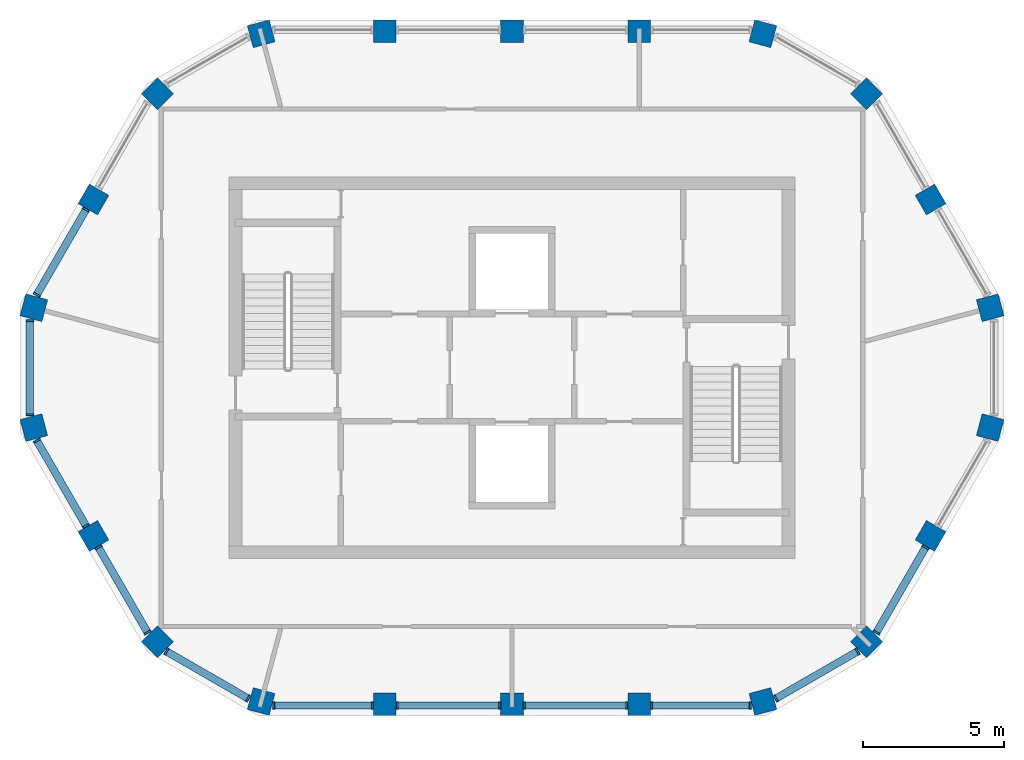
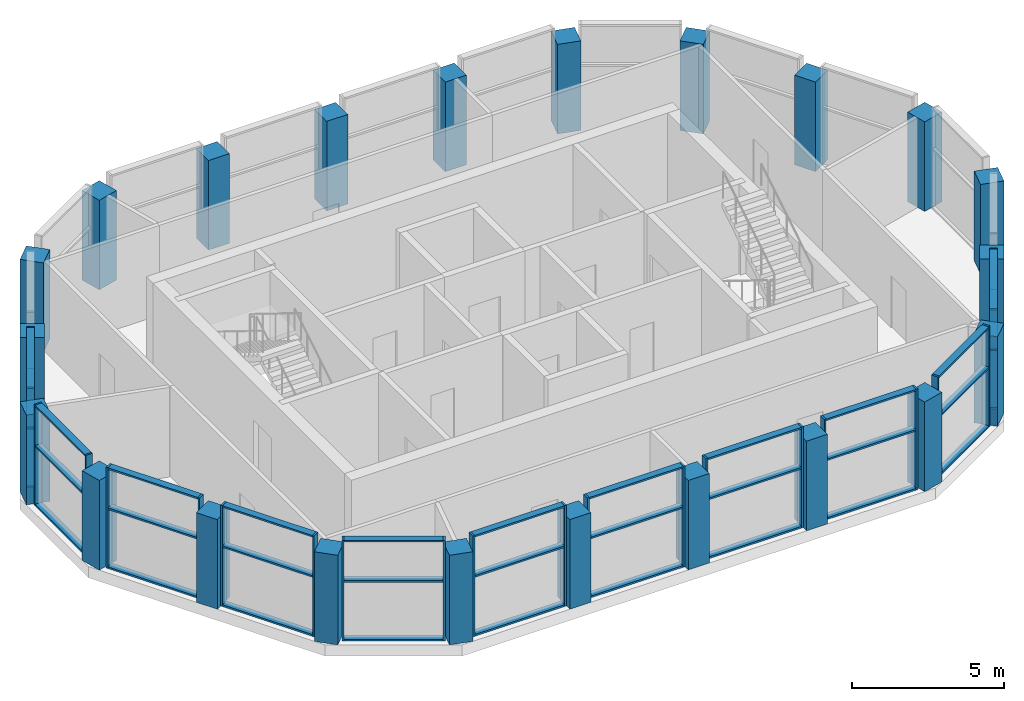
# One storey, part 1 of 6: 55 members, 22 columns, 11 elements without a shape of their own.
"""IFC4 building model written with IfcOpenShell, lengths in metres."""

from ifc_helpers import new_model, si_unit, direction, frame, origin, origin_2d, place, context, subcontext, project, spatial, rectangle, extrude, material, layer, layer_set, material_profile, profile_set, type_object, element, aggregate, save


model = new_model("IFC4")

# Units and contexts
model_context = context("Model", 3, precision=1e-05, world=origin(), true_north=direction((0.0, 1.0)))
body_context = subcontext(model_context, "Body", "Model", "MODEL_VIEW")
ifc_project = project(units=[si_unit("LENGTHUNIT", "METRE"), si_unit("AREAUNIT", "SQUARE_METRE"), si_unit("VOLUMEUNIT", "CUBIC_METRE"), si_unit("PLANEANGLEUNIT", "RADIAN"), si_unit("MASSUNIT", "GRAM", prefix="KILO")], contexts=[model_context])

# Site, building, storey
site_placement = place(None, origin())
site = spatial("IfcSite", under=ifc_project, at=site_placement, CompositionType="ELEMENT")
building_placement = place(site_placement, origin())
building = spatial("IfcBuilding", under=site, at=building_placement, Name="Dhurran Vertical Campus", CompositionType="ELEMENT")
storey_placement = place(building_placement, frame((0.0, 0.0, 327.89990234375)))
storey = spatial("IfcBuildingStorey", under=building, at=storey_placement, Name="L80 Plant", CompositionType="ELEMENT", Elevation=327.89990234375)

# Columns
ifc_material_1 = material(Name="Concrete C60/75", Category="concrete")
ifc_material_profile_1 = material_profile(ifc_material_1, rectangle(XDim=0.800048828125, YDim=0.800048828125, at=origin_2d()), Name="cr/col/R2")
ifc_profile_set_1 = profile_set([ifc_material_profile_1], Name="Concrete C60/75")
column_type = type_object("IfcColumnType", Name="cr/col/R2", PredefinedType="COLUMN", material=ifc_profile_set_1)
for number, where, z_axis, x_axis, name in (
    (1, (-8.86865234375, -11.80419921875, 0.0), (0.0, 0.0, 1.0), (0.965925826289, -0.258819045103, 0.0), "Crown column L80 1"),
    (2, (-4.5, -11.894287109375, 0.0), (0.0, 0.0, 1.0), (1.0, 0.0, 0.0), "Crown column L80 2"),
    (3, (0.0, -11.894287109375, 0.0), (0.0, 0.0, 1.0), (1.0, 0.0, 0.0), "Crown column L80 3"),
    (4, (4.5, -11.894287109375, 0.0), (0.0, 0.0, 1.0), (1.0, 0.0, 0.0), "Crown column L80 4"),
    (5, (8.86865234375, -11.80419921875, 0.0), (0.0, 0.0, 1.0), (0.965925826289, 0.258819045103, 0.0), "Crown column L80 5"),
    (6, (12.53857421875, -9.685546875, 0.0), (0.0, 0.0, 1.0), (0.707106781187, 0.707106781187, 0.0), "Crown column L80 6"),
    (7, (14.80078125, -5.947021484375, 0.0), (0.0, 0.0, 1.0), (0.5, 0.866025403784, 0.0), "Crown column L80 7"),
    (8, (16.9072265625, -2.11865234375, 0.0), (0.0, 0.0, 1.0), (0.258819045103, 0.965925826289, 0.0), "Crown column L80 8"),
    (9, (16.9072265625, 2.11865234375, 0.0), (0.0, 0.0, 1.0), (-0.258819045103, 0.965925826289, 0.0), "Crown column L80 9"),
    (10, (14.80078125, 5.947021484375, 0.0), (0.0, 0.0, 1.0), (-0.5, 0.866025403784, 0.0), "Crown column L80 10"),
    (11, (12.53857421875, 9.685546875, 0.0), (0.0, 0.0, 1.0), (-0.707106781187, 0.707106781187, 0.0), "Crown column L80 11"),
    (12, (8.86865234375, 11.80419921875, 0.0), (0.0, 0.0, 1.0), (-0.965925826289, 0.258819045103, 0.0), "Crown column L80 12"),
    (13, (4.5, 11.894287109375, 0.0), (0.0, 0.0, 1.0), (-1.0, 0.0, 0.0), "Crown column L80 13"),
    (14, (0.0, 11.894287109375, 0.0), (0.0, 0.0, 1.0), (-1.0, 0.0, 0.0), "Crown column L80 14"),
    (15, (-4.5, 11.894287109375, 0.0), (0.0, 0.0, 1.0), (-1.0, 0.0, 0.0), "Crown column L80 15"),
    (16, (-8.86865234375, 11.80419921875, 0.0), (0.0, 0.0, 1.0), (-0.965925826289, -0.258819045103, 0.0), "Crown column L80 16"),
    (17, (-12.53857421875, 9.685546875, 0.0), (0.0, 0.0, 1.0), (-0.707106781187, -0.707106781187, 0.0), "Crown column L80 17"),
    (18, (-14.80078125, 5.947021484375, 0.0), (0.0, 0.0, 1.0), (-0.5, -0.866025403784, 0.0), "Crown column L80 18"),
    (19, (-16.9072265625, 2.11865234375, 0.0), (0.0, 0.0, 1.0), (-0.258819045103, -0.965925826289, 0.0), "Crown column L80 19"),
    (20, (-16.9072265625, -2.11865234375, 0.0), (0.0, 0.0, 1.0), (0.258819045103, -0.965925826289, 0.0), "Crown column L80 20"),
    (21, (-14.80078125, -5.947021484375, 0.0), (0.0, 0.0, 1.0), (0.5, -0.866025403784, 0.0), "Crown column L80 21"),
    (22, (-12.53857421875, -9.685546875, 0.0), (0.0, 0.0, 1.0), (0.707106781187, -0.707106781187, 0.0), "Crown column L80 22"),
):
    element("IfcColumn", number, at=place(storey_placement, frame(where, z_axis=z_axis, x_axis=x_axis)), inside=storey, type_object=column_type, Name=name, PredefinedType="COLUMN", context=body_context, shape_type="SweptSolid", body=[
        extrude(rectangle(XDim=0.800048828125, YDim=0.800048828125, at=origin_2d()), origin(), (0.0, 0.0, 1.0), 3.60009765625),
    ])

# Curtain wall, members
ifc_material_2 = material(Name="Aluminium frame with solar-control glass", Category="aluminium")
ifc_layer = layer(ifc_material_2, 0.260009765625)
ifc_layer_set = layer_set([ifc_layer], Name="Aluminium frame with solar-control glass")
curtain_wall_type = type_object("IfcCurtainWallType", Name="Crown lantern glazing system", PredefinedType="NOTDEFINED", material=ifc_layer_set)
curtain_wall_1_placement = place(storey_placement, origin())
curtain_wall_1 = element("IfcCurtainWall", 23, at=curtain_wall_1_placement, inside=storey, type_object=curtain_wall_type, Name="CW6 L80.00", PredefinedType="NOTDEFINED")
ifc_material_3 = material(Name="Aluminium mullion", Category="aluminium")
ifc_material_profile_2 = material_profile(ifc_material_3, rectangle(XDim=0.260009765625, YDim=0.070068359375, at=origin_2d()), Name="Crown lantern glazing system mullion")
ifc_profile_set_2 = profile_set([ifc_material_profile_2], Name="Aluminium mullion")
member_type_1 = type_object("IfcMemberType", Name="Crown lantern glazing system mullion", PredefinedType="MULLION", material=ifc_profile_set_2)
member_1_placement = place(storey_placement, frame((-8.41650390625, -11.944091796875, 0.0), z_axis=(0.0, 0.0, 1.0), x_axis=(0.0, 1.0, 0.0)))
member_1 = element("IfcMember", 24, at=member_1_placement, type_object=member_type_1, Name="CW6 mullion 1", PredefinedType="MULLION", context=body_context, shape_type="SweptSolid", body=[
    extrude(rectangle(XDim=0.260009765625, YDim=0.070068359375, at=origin_2d()), origin(), (0.0, 0.0, 1.0), 4.050048828125),
])
member_2_placement = place(storey_placement, frame((-4.935546875, -11.944091796875, 0.0), z_axis=(0.0, 0.0, 1.0), x_axis=(0.0, 1.0, 0.0)))
member_2 = element("IfcMember", 25, at=member_2_placement, type_object=member_type_1, Name="CW6 mullion 2", PredefinedType="MULLION", context=body_context, shape_type="SweptSolid", body=[
    extrude(rectangle(XDim=0.260009765625, YDim=0.070068359375, at=origin_2d()), origin(), (0.0, 0.0, 1.0), 4.050048828125),
])

curtain_wall_2_placement = place(storey_placement, origin())
curtain_wall_2 = element("IfcCurtainWall", 26, at=curtain_wall_2_placement, inside=storey, type_object=curtain_wall_type, Name="CW6 L80.01", PredefinedType="NOTDEFINED")
member_3_placement = place(storey_placement, frame((-4.064453125, -11.944091796875, 0.0), z_axis=(0.0, 0.0, 1.0), x_axis=(0.0, 1.0, 0.0)))
member_3 = element("IfcMember", 27, at=member_3_placement, type_object=member_type_1, Name="CW6 mullion 1", PredefinedType="MULLION", context=body_context, shape_type="SweptSolid", body=[
    extrude(rectangle(XDim=0.260009765625, YDim=0.070068359375, at=origin_2d()), origin(), (0.0, 0.0, 1.0), 4.050048828125),
])
member_4_placement = place(storey_placement, frame((-0.435546875, -11.944091796875, 0.0), z_axis=(0.0, 0.0, 1.0), x_axis=(0.0, 1.0, 0.0)))
member_4 = element("IfcMember", 28, at=member_4_placement, type_object=member_type_1, Name="CW6 mullion 2", PredefinedType="MULLION", context=body_context, shape_type="SweptSolid", body=[
    extrude(rectangle(XDim=0.260009765625, YDim=0.070068359375, at=origin_2d()), origin(), (0.0, 0.0, 1.0), 4.050048828125),
])

curtain_wall_3_placement = place(storey_placement, origin())
curtain_wall_3 = element("IfcCurtainWall", 29, at=curtain_wall_3_placement, inside=storey, type_object=curtain_wall_type, Name="CW6 L80.02", PredefinedType="NOTDEFINED")
member_5_placement = place(storey_placement, frame((0.435546875, -11.944091796875, 0.0), z_axis=(0.0, 0.0, 1.0), x_axis=(0.0, 1.0, 0.0)))
member_5 = element("IfcMember", 30, at=member_5_placement, type_object=member_type_1, Name="CW6 mullion 1", PredefinedType="MULLION", context=body_context, shape_type="SweptSolid", body=[
    extrude(rectangle(XDim=0.260009765625, YDim=0.070068359375, at=origin_2d()), origin(), (0.0, 0.0, 1.0), 4.050048828125),
])
member_6_placement = place(storey_placement, frame((4.064453125, -11.944091796875, 0.0), z_axis=(0.0, 0.0, 1.0), x_axis=(0.0, 1.0, 0.0)))
member_6 = element("IfcMember", 31, at=member_6_placement, type_object=member_type_1, Name="CW6 mullion 2", PredefinedType="MULLION", context=body_context, shape_type="SweptSolid", body=[
    extrude(rectangle(XDim=0.260009765625, YDim=0.070068359375, at=origin_2d()), origin(), (0.0, 0.0, 1.0), 4.050048828125),
])

curtain_wall_4_placement = place(storey_placement, origin())
curtain_wall_4 = element("IfcCurtainWall", 32, at=curtain_wall_4_placement, inside=storey, type_object=curtain_wall_type, Name="CW6 L80.03", PredefinedType="NOTDEFINED")
member_7_placement = place(storey_placement, frame((4.935546875, -11.944091796875, 0.0), z_axis=(0.0, 0.0, 1.0), x_axis=(0.0, 1.0, 0.0)))
member_7 = element("IfcMember", 33, at=member_7_placement, type_object=member_type_1, Name="CW6 mullion 1", PredefinedType="MULLION", context=body_context, shape_type="SweptSolid", body=[
    extrude(rectangle(XDim=0.260009765625, YDim=0.070068359375, at=origin_2d()), origin(), (0.0, 0.0, 1.0), 4.050048828125),
])
member_8_placement = place(storey_placement, frame((8.41650390625, -11.944091796875, 0.0), z_axis=(0.0, 0.0, 1.0), x_axis=(0.0, 1.0, 0.0)))
member_8 = element("IfcMember", 34, at=member_8_placement, type_object=member_type_1, Name="CW6 mullion 2", PredefinedType="MULLION", context=body_context, shape_type="SweptSolid", body=[
    extrude(rectangle(XDim=0.260009765625, YDim=0.070068359375, at=origin_2d()), origin(), (0.0, 0.0, 1.0), 4.050048828125),
])

curtain_wall_5_placement = place(storey_placement, origin())
curtain_wall_5 = element("IfcCurtainWall", 35, at=curtain_wall_5_placement, inside=storey, type_object=curtain_wall_type, Name="CW6 L80.04", PredefinedType="NOTDEFINED")
member_9_placement = place(storey_placement, frame((9.330078125, -11.699462890625, 0.0), z_axis=(0.0, 0.0, 1.0), x_axis=(-0.499991203395, 0.866030482447, 0.0)))
member_9 = element("IfcMember", 36, at=member_9_placement, type_object=member_type_1, Name="CW6 mullion 1", PredefinedType="MULLION", context=body_context, shape_type="SweptSolid", body=[
    extrude(rectangle(XDim=0.260009765625, YDim=0.070068359375, at=origin_2d()), origin(), (0.0, 0.0, 1.0), 4.050048828125),
])
member_10_placement = place(storey_placement, frame((12.217041015625, -10.03271484375, 0.0), z_axis=(0.0, 0.0, 1.0), x_axis=(-0.499991203395, 0.866030482447, 0.0)))
member_10 = element("IfcMember", 37, at=member_10_placement, type_object=member_type_1, Name="CW6 mullion 2", PredefinedType="MULLION", context=body_context, shape_type="SweptSolid", body=[
    extrude(rectangle(XDim=0.260009765625, YDim=0.070068359375, at=origin_2d()), origin(), (0.0, 0.0, 1.0), 4.050048828125),
])

curtain_wall_6_placement = place(storey_placement, origin())
curtain_wall_6 = element("IfcCurtainWall", 38, at=curtain_wall_6_placement, inside=storey, type_object=curtain_wall_type, Name="CW6 L80.05", PredefinedType="NOTDEFINED")
member_11_placement = place(storey_placement, frame((12.8857421875, -9.364013671875, 0.0), z_axis=(0.0, 0.0, 1.0), x_axis=(-0.866016292778, 0.500015780395, 0.0)))
member_11 = element("IfcMember", 39, at=member_11_placement, type_object=member_type_1, Name="CW6 mullion 1", PredefinedType="MULLION", context=body_context, shape_type="SweptSolid", body=[
    extrude(rectangle(XDim=0.260009765625, YDim=0.070068359375, at=origin_2d()), origin(), (0.0, 0.0, 1.0), 4.050048828125),
])
member_12_placement = place(storey_placement, frame((14.626220703125, -6.349365234375, 0.0), z_axis=(0.0, 0.0, 1.0), x_axis=(-0.866016292778, 0.500015780395, 0.0)))
member_12 = element("IfcMember", 40, at=member_12_placement, type_object=member_type_1, Name="CW6 mullion 2", PredefinedType="MULLION", context=body_context, shape_type="SweptSolid", body=[
    extrude(rectangle(XDim=0.260009765625, YDim=0.070068359375, at=origin_2d()), origin(), (0.0, 0.0, 1.0), 4.050048828125),
])

curtain_wall_7_placement = place(storey_placement, origin())
curtain_wall_7 = element("IfcCurtainWall", 41, at=curtain_wall_7_placement, inside=storey, type_object=curtain_wall_type, Name="CW6 L80.17", PredefinedType="NOTDEFINED")
member_13_placement = place(storey_placement, frame((-15.061767578125, 5.594970703125, 0.0), z_axis=(0.0, 0.0, 1.0), x_axis=(0.866030372825, -0.499991393271, 0.0)))
member_13 = element("IfcMember", 42, at=member_13_placement, type_object=member_type_1, Name="CW6 mullion 1", PredefinedType="MULLION", context=body_context, shape_type="SweptSolid", body=[
    extrude(rectangle(XDim=0.260009765625, YDim=0.070068359375, at=origin_2d()), origin(), (0.0, 0.0, 1.0), 4.050048828125),
])
member_14_placement = place(storey_placement, frame((-16.802490234375, 2.580078125, 0.0), z_axis=(0.0, 0.0, 1.0), x_axis=(0.866030372825, -0.499991393271, 0.0)))
member_14 = element("IfcMember", 43, at=member_14_placement, type_object=member_type_1, Name="CW6 mullion 2", PredefinedType="MULLION", context=body_context, shape_type="SweptSolid", body=[
    extrude(rectangle(XDim=0.260009765625, YDim=0.070068359375, at=origin_2d()), origin(), (0.0, 0.0, 1.0), 4.050048828125),
])

curtain_wall_8_placement = place(storey_placement, origin())
curtain_wall_8 = element("IfcCurtainWall", 44, at=curtain_wall_8_placement, inside=storey, type_object=curtain_wall_type, Name="CW6 L80.18", PredefinedType="NOTDEFINED")
member_15_placement = place(storey_placement, frame((-17.047119140625, 1.66650390625, 0.0), z_axis=(0.0, 0.0, 1.0), x_axis=(1.0, 0.0, 0.0)))
member_15 = element("IfcMember", 45, at=member_15_placement, type_object=member_type_1, Name="CW6 mullion 1", PredefinedType="MULLION", context=body_context, shape_type="SweptSolid", body=[
    extrude(rectangle(XDim=0.260009765625, YDim=0.070068359375, at=origin_2d()), origin(), (0.0, 0.0, 1.0), 4.050048828125),
])
member_16_placement = place(storey_placement, frame((-17.047119140625, -1.66650390625, 0.0), z_axis=(0.0, 0.0, 1.0), x_axis=(1.0, 0.0, 0.0)))
member_16 = element("IfcMember", 46, at=member_16_placement, type_object=member_type_1, Name="CW6 mullion 2", PredefinedType="MULLION", context=body_context, shape_type="SweptSolid", body=[
    extrude(rectangle(XDim=0.260009765625, YDim=0.070068359375, at=origin_2d()), origin(), (0.0, 0.0, 1.0), 4.050048828125),
])

curtain_wall_9_placement = place(storey_placement, origin())
curtain_wall_9 = element("IfcCurtainWall", 47, at=curtain_wall_9_placement, inside=storey, type_object=curtain_wall_type, Name="CW6 L80.19", PredefinedType="NOTDEFINED")
member_17_placement = place(storey_placement, frame((-16.802490234375, -2.580078125, 0.0), z_axis=(0.0, 0.0, 1.0), x_axis=(0.866030372825, 0.499991393271, 0.0)))
member_17 = element("IfcMember", 48, at=member_17_placement, type_object=member_type_1, Name="CW6 mullion 1", PredefinedType="MULLION", context=body_context, shape_type="SweptSolid", body=[
    extrude(rectangle(XDim=0.260009765625, YDim=0.070068359375, at=origin_2d()), origin(), (0.0, 0.0, 1.0), 4.050048828125),
])
member_18_placement = place(storey_placement, frame((-15.061767578125, -5.594970703125, 0.0), z_axis=(0.0, 0.0, 1.0), x_axis=(0.866030372825, 0.499991393271, 0.0)))
member_18 = element("IfcMember", 49, at=member_18_placement, type_object=member_type_1, Name="CW6 mullion 2", PredefinedType="MULLION", context=body_context, shape_type="SweptSolid", body=[
    extrude(rectangle(XDim=0.260009765625, YDim=0.070068359375, at=origin_2d()), origin(), (0.0, 0.0, 1.0), 4.050048828125),
])

curtain_wall_10_placement = place(storey_placement, origin())
curtain_wall_10 = element("IfcCurtainWall", 50, at=curtain_wall_10_placement, inside=storey, type_object=curtain_wall_type, Name="CW6 L80.20", PredefinedType="NOTDEFINED")
member_19_placement = place(storey_placement, frame((-14.626220703125, -6.349365234375, 0.0), z_axis=(0.0, 0.0, 1.0), x_axis=(0.866016292778, 0.500015780395, 0.0)))
member_19 = element("IfcMember", 51, at=member_19_placement, type_object=member_type_1, Name="CW6 mullion 1", PredefinedType="MULLION", context=body_context, shape_type="SweptSolid", body=[
    extrude(rectangle(XDim=0.260009765625, YDim=0.070068359375, at=origin_2d()), origin(), (0.0, 0.0, 1.0), 4.050048828125),
])
member_20_placement = place(storey_placement, frame((-12.8857421875, -9.364013671875, 0.0), z_axis=(0.0, 0.0, 1.0), x_axis=(0.866016292778, 0.500015780395, 0.0)))
member_20 = element("IfcMember", 52, at=member_20_placement, type_object=member_type_1, Name="CW6 mullion 2", PredefinedType="MULLION", context=body_context, shape_type="SweptSolid", body=[
    extrude(rectangle(XDim=0.260009765625, YDim=0.070068359375, at=origin_2d()), origin(), (0.0, 0.0, 1.0), 4.050048828125),
])

curtain_wall_11_placement = place(storey_placement, origin())
curtain_wall_11 = element("IfcCurtainWall", 53, at=curtain_wall_11_placement, inside=storey, type_object=curtain_wall_type, Name="CW6 L80.21", PredefinedType="NOTDEFINED")
member_21_placement = place(storey_placement, frame((-12.217041015625, -10.03271484375, 0.0), z_axis=(0.0, 0.0, 1.0), x_axis=(0.499991203395, 0.866030482447, 0.0)))
member_21 = element("IfcMember", 54, at=member_21_placement, type_object=member_type_1, Name="CW6 mullion 1", PredefinedType="MULLION", context=body_context, shape_type="SweptSolid", body=[
    extrude(rectangle(XDim=0.260009765625, YDim=0.070068359375, at=origin_2d()), origin(), (0.0, 0.0, 1.0), 4.050048828125),
])
member_22_placement = place(storey_placement, frame((-9.330078125, -11.699462890625, 0.0), z_axis=(0.0, 0.0, 1.0), x_axis=(0.499991203395, 0.866030482447, 0.0)))
member_22 = element("IfcMember", 55, at=member_22_placement, type_object=member_type_1, Name="CW6 mullion 2", PredefinedType="MULLION", context=body_context, shape_type="SweptSolid", body=[
    extrude(rectangle(XDim=0.260009765625, YDim=0.070068359375, at=origin_2d()), origin(), (0.0, 0.0, 1.0), 4.050048828125),
])

# Member
ifc_material_4 = material(Name="Aluminium transom", Category="aluminium")
ifc_material_profile_3 = material_profile(ifc_material_4, rectangle(XDim=0.260009765625, YDim=0.070068359375, at=origin_2d()), Name="Crown lantern glazing system transom")
ifc_profile_set_3 = profile_set([ifc_material_profile_3], Name="Aluminium transom")
member_type_2 = type_object("IfcMemberType", Name="Crown lantern glazing system transom", PredefinedType="USERDEFINED", material=ifc_profile_set_3)
member_23_placement = place(storey_placement, frame((-8.381591796875, -11.944091796875, 0.03515625), z_axis=(1.0, 0.0, 0.0), x_axis=(0.0, 1.0, 0.0)))
member_23 = element("IfcMember", 56, at=member_23_placement, type_object=member_type_2, Name="CW6 transom 1.1", ObjectType="TRANSOM", PredefinedType="USERDEFINED", context=body_context, shape_type="SweptSolid", body=[
    extrude(rectangle(XDim=0.260009765625, YDim=0.070068359375, at=origin_2d()), origin(), (0.0, 0.0, 1.0), 3.4111328125),
])

member_24_placement = place(storey_placement, frame((-8.381591796875, -11.944091796875, 2.400146484375), z_axis=(1.0, 0.0, 0.0), x_axis=(0.0, 1.0, 0.0)))
member_24 = element("IfcMember", 57, at=member_24_placement, type_object=member_type_2, Name="CW6 transom 1.2", ObjectType="TRANSOM", PredefinedType="USERDEFINED", context=body_context, shape_type="SweptSolid", body=[
    extrude(rectangle(XDim=0.260009765625, YDim=0.070068359375, at=origin_2d()), origin(), (0.0, 0.0, 1.0), 3.4111328125),
])

member_25_placement = place(storey_placement, frame((-8.381591796875, -11.944091796875, 4.01513671875), z_axis=(1.0, 0.0, 0.0), x_axis=(0.0, 1.0, 0.0)))
member_25 = element("IfcMember", 58, at=member_25_placement, type_object=member_type_2, Name="CW6 transom 1.3", ObjectType="TRANSOM", PredefinedType="USERDEFINED", context=body_context, shape_type="SweptSolid", body=[
    extrude(rectangle(XDim=0.260009765625, YDim=0.070068359375, at=origin_2d()), origin(), (0.0, 0.0, 1.0), 3.4111328125),
])

aggregate(curtain_wall_1, [member_1, member_2, member_23, member_24, member_25])

member_26_placement = place(storey_placement, frame((-4.029541015625, -11.944091796875, 0.03515625), z_axis=(1.0, 0.0, 0.0), x_axis=(0.0, 1.0, 0.0)))
member_26 = element("IfcMember", 59, at=member_26_placement, type_object=member_type_2, Name="CW6 transom 1.1", ObjectType="TRANSOM", PredefinedType="USERDEFINED", context=body_context, shape_type="SweptSolid", body=[
    extrude(rectangle(XDim=0.260009765625, YDim=0.070068359375, at=origin_2d()), origin(), (0.0, 0.0, 1.0), 3.55908203125),
])

member_27_placement = place(storey_placement, frame((-4.029541015625, -11.944091796875, 2.400146484375), z_axis=(1.0, 0.0, 0.0), x_axis=(0.0, 1.0, 0.0)))
member_27 = element("IfcMember", 60, at=member_27_placement, type_object=member_type_2, Name="CW6 transom 1.2", ObjectType="TRANSOM", PredefinedType="USERDEFINED", context=body_context, shape_type="SweptSolid", body=[
    extrude(rectangle(XDim=0.260009765625, YDim=0.070068359375, at=origin_2d()), origin(), (0.0, 0.0, 1.0), 3.55908203125),
])

member_28_placement = place(storey_placement, frame((-4.029541015625, -11.944091796875, 4.01513671875), z_axis=(1.0, 0.0, 0.0), x_axis=(0.0, 1.0, 0.0)))
member_28 = element("IfcMember", 61, at=member_28_placement, type_object=member_type_2, Name="CW6 transom 1.3", ObjectType="TRANSOM", PredefinedType="USERDEFINED", context=body_context, shape_type="SweptSolid", body=[
    extrude(rectangle(XDim=0.260009765625, YDim=0.070068359375, at=origin_2d()), origin(), (0.0, 0.0, 1.0), 3.55908203125),
])

aggregate(curtain_wall_2, [member_3, member_4, member_26, member_27, member_28])

member_29_placement = place(storey_placement, frame((0.470458984375, -11.944091796875, 0.03515625), z_axis=(1.0, 0.0, 0.0), x_axis=(0.0, 1.0, 0.0)))
member_29 = element("IfcMember", 62, at=member_29_placement, type_object=member_type_2, Name="CW6 transom 1.1", ObjectType="TRANSOM", PredefinedType="USERDEFINED", context=body_context, shape_type="SweptSolid", body=[
    extrude(rectangle(XDim=0.260009765625, YDim=0.070068359375, at=origin_2d()), origin(), (0.0, 0.0, 1.0), 3.55908203125),
])

member_30_placement = place(storey_placement, frame((0.470458984375, -11.944091796875, 2.400146484375), z_axis=(1.0, 0.0, 0.0), x_axis=(0.0, 1.0, 0.0)))
member_30 = element("IfcMember", 63, at=member_30_placement, type_object=member_type_2, Name="CW6 transom 1.2", ObjectType="TRANSOM", PredefinedType="USERDEFINED", context=body_context, shape_type="SweptSolid", body=[
    extrude(rectangle(XDim=0.260009765625, YDim=0.070068359375, at=origin_2d()), origin(), (0.0, 0.0, 1.0), 3.55908203125),
])

member_31_placement = place(storey_placement, frame((0.470458984375, -11.944091796875, 4.01513671875), z_axis=(1.0, 0.0, 0.0), x_axis=(0.0, 1.0, 0.0)))
member_31 = element("IfcMember", 64, at=member_31_placement, type_object=member_type_2, Name="CW6 transom 1.3", ObjectType="TRANSOM", PredefinedType="USERDEFINED", context=body_context, shape_type="SweptSolid", body=[
    extrude(rectangle(XDim=0.260009765625, YDim=0.070068359375, at=origin_2d()), origin(), (0.0, 0.0, 1.0), 3.55908203125),
])

aggregate(curtain_wall_3, [member_5, member_6, member_29, member_30, member_31])

member_32_placement = place(storey_placement, frame((4.970458984375, -11.944091796875, 0.03515625), z_axis=(1.0, 0.0, 0.0), x_axis=(0.0, 1.0, 0.0)))
member_32 = element("IfcMember", 65, at=member_32_placement, type_object=member_type_2, Name="CW6 transom 1.1", ObjectType="TRANSOM", PredefinedType="USERDEFINED", context=body_context, shape_type="SweptSolid", body=[
    extrude(rectangle(XDim=0.260009765625, YDim=0.070068359375, at=origin_2d()), origin(), (0.0, 0.0, 1.0), 3.4111328125),
])

member_33_placement = place(storey_placement, frame((4.970458984375, -11.944091796875, 2.400146484375), z_axis=(1.0, 0.0, 0.0), x_axis=(0.0, 1.0, 0.0)))
member_33 = element("IfcMember", 66, at=member_33_placement, type_object=member_type_2, Name="CW6 transom 1.2", ObjectType="TRANSOM", PredefinedType="USERDEFINED", context=body_context, shape_type="SweptSolid", body=[
    extrude(rectangle(XDim=0.260009765625, YDim=0.070068359375, at=origin_2d()), origin(), (0.0, 0.0, 1.0), 3.4111328125),
])

member_34_placement = place(storey_placement, frame((4.970458984375, -11.944091796875, 4.01513671875), z_axis=(1.0, 0.0, 0.0), x_axis=(0.0, 1.0, 0.0)))
member_34 = element("IfcMember", 67, at=member_34_placement, type_object=member_type_2, Name="CW6 transom 1.3", ObjectType="TRANSOM", PredefinedType="USERDEFINED", context=body_context, shape_type="SweptSolid", body=[
    extrude(rectangle(XDim=0.260009765625, YDim=0.070068359375, at=origin_2d()), origin(), (0.0, 0.0, 1.0), 3.4111328125),
])

aggregate(curtain_wall_4, [member_7, member_8, member_32, member_33, member_34])

member_35_placement = place(storey_placement, frame((9.3603515625, -11.681884765625, 0.03515625), z_axis=(0.866057278891, 0.499944786631, 0.0), x_axis=(-0.499944786631, 0.866057278891, 0.0)))
member_35 = element("IfcMember", 68, at=member_35_placement, type_object=member_type_2, Name="CW6 transom 1.1", ObjectType="TRANSOM", PredefinedType="USERDEFINED", context=body_context, shape_type="SweptSolid", body=[
    extrude(rectangle(XDim=0.260009765625, YDim=0.070068359375, at=origin_2d()), origin(), (0.0, 0.0, 1.0), 3.263427734375),
])

member_36_placement = place(storey_placement, frame((9.3603515625, -11.681884765625, 2.400146484375), z_axis=(0.866057278891, 0.499944786631, 0.0), x_axis=(-0.499944786631, 0.866057278891, 0.0)))
member_36 = element("IfcMember", 69, at=member_36_placement, type_object=member_type_2, Name="CW6 transom 1.2", ObjectType="TRANSOM", PredefinedType="USERDEFINED", context=body_context, shape_type="SweptSolid", body=[
    extrude(rectangle(XDim=0.260009765625, YDim=0.070068359375, at=origin_2d()), origin(), (0.0, 0.0, 1.0), 3.263427734375),
])

member_37_placement = place(storey_placement, frame((9.3603515625, -11.681884765625, 4.01513671875), z_axis=(0.866057278891, 0.499944786631, 0.0), x_axis=(-0.499944786631, 0.866057278891, 0.0)))
member_37 = element("IfcMember", 70, at=member_37_placement, type_object=member_type_2, Name="CW6 transom 1.3", ObjectType="TRANSOM", PredefinedType="USERDEFINED", context=body_context, shape_type="SweptSolid", body=[
    extrude(rectangle(XDim=0.260009765625, YDim=0.070068359375, at=origin_2d()), origin(), (0.0, 0.0, 1.0), 3.263427734375),
])

aggregate(curtain_wall_5, [member_9, member_10, member_35, member_36, member_37])

member_38_placement = place(storey_placement, frame((12.9033203125, -9.333740234375, 0.03515625), z_axis=(0.500003314297, 0.866023490266, 0.0), x_axis=(-0.866023490266, 0.500003314297, 0.0)))
member_38 = element("IfcMember", 71, at=member_38_placement, type_object=member_type_2, Name="CW6 transom 1.1", ObjectType="TRANSOM", PredefinedType="USERDEFINED", context=body_context, shape_type="SweptSolid", body=[
    extrude(rectangle(XDim=0.260009765625, YDim=0.070068359375, at=origin_2d()), origin(), (0.0, 0.0, 1.0), 3.4111328125),
])

member_39_placement = place(storey_placement, frame((12.9033203125, -9.333740234375, 2.400146484375), z_axis=(0.500003314297, 0.866023490266, 0.0), x_axis=(-0.866023490266, 0.500003314297, 0.0)))
member_39 = element("IfcMember", 72, at=member_39_placement, type_object=member_type_2, Name="CW6 transom 1.2", ObjectType="TRANSOM", PredefinedType="USERDEFINED", context=body_context, shape_type="SweptSolid", body=[
    extrude(rectangle(XDim=0.260009765625, YDim=0.070068359375, at=origin_2d()), origin(), (0.0, 0.0, 1.0), 3.4111328125),
])

member_40_placement = place(storey_placement, frame((12.9033203125, -9.333740234375, 4.01513671875), z_axis=(0.500003314297, 0.866023490266, 0.0), x_axis=(-0.866023490266, 0.500003314297, 0.0)))
member_40 = element("IfcMember", 73, at=member_40_placement, type_object=member_type_2, Name="CW6 transom 1.3", ObjectType="TRANSOM", PredefinedType="USERDEFINED", context=body_context, shape_type="SweptSolid", body=[
    extrude(rectangle(XDim=0.260009765625, YDim=0.070068359375, at=origin_2d()), origin(), (0.0, 0.0, 1.0), 3.4111328125),
])

aggregate(curtain_wall_6, [member_11, member_12, member_38, member_39, member_40])

member_41_placement = place(storey_placement, frame((-15.079345703125, 5.564697265625, 0.03515625), z_axis=(-0.499972324094, -0.866041381887, 0.0), x_axis=(0.866041381887, -0.499972324094, 0.0)))
member_41 = element("IfcMember", 74, at=member_41_placement, type_object=member_type_2, Name="CW6 transom 1.1", ObjectType="TRANSOM", PredefinedType="USERDEFINED", context=body_context, shape_type="SweptSolid", body=[
    extrude(rectangle(XDim=0.260009765625, YDim=0.070068359375, at=origin_2d()), origin(), (0.0, 0.0, 1.0), 3.411376953125),
])

member_42_placement = place(storey_placement, frame((-15.079345703125, 5.564697265625, 2.400146484375), z_axis=(-0.499972324094, -0.866041381887, 0.0), x_axis=(0.866041381887, -0.499972324094, 0.0)))
member_42 = element("IfcMember", 75, at=member_42_placement, type_object=member_type_2, Name="CW6 transom 1.2", ObjectType="TRANSOM", PredefinedType="USERDEFINED", context=body_context, shape_type="SweptSolid", body=[
    extrude(rectangle(XDim=0.260009765625, YDim=0.070068359375, at=origin_2d()), origin(), (0.0, 0.0, 1.0), 3.411376953125),
])

member_43_placement = place(storey_placement, frame((-15.079345703125, 5.564697265625, 4.01513671875), z_axis=(-0.499972324094, -0.866041381887, 0.0), x_axis=(0.866041381887, -0.499972324094, 0.0)))
member_43 = element("IfcMember", 76, at=member_43_placement, type_object=member_type_2, Name="CW6 transom 1.3", ObjectType="TRANSOM", PredefinedType="USERDEFINED", context=body_context, shape_type="SweptSolid", body=[
    extrude(rectangle(XDim=0.260009765625, YDim=0.070068359375, at=origin_2d()), origin(), (0.0, 0.0, 1.0), 3.411376953125),
])

aggregate(curtain_wall_7, [member_13, member_14, member_41, member_42, member_43])

member_44_placement = place(storey_placement, frame((-17.047119140625, 1.631591796875, 0.03515625), z_axis=(0.0, -1.0, 0.0), x_axis=(1.0, 0.0, 0.0)))
member_44 = element("IfcMember", 77, at=member_44_placement, type_object=member_type_2, Name="CW6 transom 1.1", ObjectType="TRANSOM", PredefinedType="USERDEFINED", context=body_context, shape_type="SweptSolid", body=[
    extrude(rectangle(XDim=0.260009765625, YDim=0.070068359375, at=origin_2d()), origin(), (0.0, 0.0, 1.0), 3.26318359375),
])

member_45_placement = place(storey_placement, frame((-17.047119140625, 1.631591796875, 2.400146484375), z_axis=(0.0, -1.0, 0.0), x_axis=(1.0, 0.0, 0.0)))
member_45 = element("IfcMember", 78, at=member_45_placement, type_object=member_type_2, Name="CW6 transom 1.2", ObjectType="TRANSOM", PredefinedType="USERDEFINED", context=body_context, shape_type="SweptSolid", body=[
    extrude(rectangle(XDim=0.260009765625, YDim=0.070068359375, at=origin_2d()), origin(), (0.0, 0.0, 1.0), 3.26318359375),
])

member_46_placement = place(storey_placement, frame((-17.047119140625, 1.631591796875, 4.01513671875), z_axis=(0.0, -1.0, 0.0), x_axis=(1.0, 0.0, 0.0)))
member_46 = element("IfcMember", 79, at=member_46_placement, type_object=member_type_2, Name="CW6 transom 1.3", ObjectType="TRANSOM", PredefinedType="USERDEFINED", context=body_context, shape_type="SweptSolid", body=[
    extrude(rectangle(XDim=0.260009765625, YDim=0.070068359375, at=origin_2d()), origin(), (0.0, 0.0, 1.0), 3.26318359375),
])

aggregate(curtain_wall_8, [member_15, member_16, member_44, member_45, member_46])

member_47_placement = place(storey_placement, frame((-16.784912109375, -2.6103515625, 0.03515625), z_axis=(0.499972324094, -0.866041381887, 0.0), x_axis=(0.866041381887, 0.499972324094, 0.0)))
member_47 = element("IfcMember", 80, at=member_47_placement, type_object=member_type_2, Name="CW6 transom 1.1", ObjectType="TRANSOM", PredefinedType="USERDEFINED", context=body_context, shape_type="SweptSolid", body=[
    extrude(rectangle(XDim=0.260009765625, YDim=0.070068359375, at=origin_2d()), origin(), (0.0, 0.0, 1.0), 3.411376953125),
])

member_48_placement = place(storey_placement, frame((-16.784912109375, -2.6103515625, 2.400146484375), z_axis=(0.499972324094, -0.866041381887, 0.0), x_axis=(0.866041381887, 0.499972324094, 0.0)))
member_48 = element("IfcMember", 81, at=member_48_placement, type_object=member_type_2, Name="CW6 transom 1.2", ObjectType="TRANSOM", PredefinedType="USERDEFINED", context=body_context, shape_type="SweptSolid", body=[
    extrude(rectangle(XDim=0.260009765625, YDim=0.070068359375, at=origin_2d()), origin(), (0.0, 0.0, 1.0), 3.411376953125),
])

member_49_placement = place(storey_placement, frame((-16.784912109375, -2.6103515625, 4.01513671875), z_axis=(0.499972324094, -0.866041381887, 0.0), x_axis=(0.866041381887, 0.499972324094, 0.0)))
member_49 = element("IfcMember", 82, at=member_49_placement, type_object=member_type_2, Name="CW6 transom 1.3", ObjectType="TRANSOM", PredefinedType="USERDEFINED", context=body_context, shape_type="SweptSolid", body=[
    extrude(rectangle(XDim=0.260009765625, YDim=0.070068359375, at=origin_2d()), origin(), (0.0, 0.0, 1.0), 3.411376953125),
])

aggregate(curtain_wall_9, [member_17, member_18, member_47, member_48, member_49])

member_50_placement = place(storey_placement, frame((-14.60888671875, -6.379638671875, 0.03515625), z_axis=(0.500003314297, -0.866023490266, 0.0), x_axis=(0.866023490266, 0.500003314297, 0.0)))
member_50 = element("IfcMember", 83, at=member_50_placement, type_object=member_type_2, Name="CW6 transom 1.1", ObjectType="TRANSOM", PredefinedType="USERDEFINED", context=body_context, shape_type="SweptSolid", body=[
    extrude(rectangle(XDim=0.260009765625, YDim=0.070068359375, at=origin_2d()), origin(), (0.0, 0.0, 1.0), 3.4111328125),
])

member_51_placement = place(storey_placement, frame((-14.60888671875, -6.379638671875, 2.400146484375), z_axis=(0.500003314297, -0.866023490266, 0.0), x_axis=(0.866023490266, 0.500003314297, 0.0)))
member_51 = element("IfcMember", 84, at=member_51_placement, type_object=member_type_2, Name="CW6 transom 1.2", ObjectType="TRANSOM", PredefinedType="USERDEFINED", context=body_context, shape_type="SweptSolid", body=[
    extrude(rectangle(XDim=0.260009765625, YDim=0.070068359375, at=origin_2d()), origin(), (0.0, 0.0, 1.0), 3.4111328125),
])

member_52_placement = place(storey_placement, frame((-14.60888671875, -6.379638671875, 4.01513671875), z_axis=(0.500003314297, -0.866023490266, 0.0), x_axis=(0.866023490266, 0.500003314297, 0.0)))
member_52 = element("IfcMember", 85, at=member_52_placement, type_object=member_type_2, Name="CW6 transom 1.3", ObjectType="TRANSOM", PredefinedType="USERDEFINED", context=body_context, shape_type="SweptSolid", body=[
    extrude(rectangle(XDim=0.260009765625, YDim=0.070068359375, at=origin_2d()), origin(), (0.0, 0.0, 1.0), 3.4111328125),
])

aggregate(curtain_wall_10, [member_19, member_20, member_50, member_51, member_52])

member_53_placement = place(storey_placement, frame((-12.186767578125, -10.05029296875, 0.03515625), z_axis=(0.866057278891, -0.499944786631, 0.0), x_axis=(0.499944786631, 0.866057278891, 0.0)))
member_53 = element("IfcMember", 86, at=member_53_placement, type_object=member_type_2, Name="CW6 transom 1.1", ObjectType="TRANSOM", PredefinedType="USERDEFINED", context=body_context, shape_type="SweptSolid", body=[
    extrude(rectangle(XDim=0.260009765625, YDim=0.070068359375, at=origin_2d()), origin(), (0.0, 0.0, 1.0), 3.263427734375),
])

member_54_placement = place(storey_placement, frame((-12.186767578125, -10.05029296875, 2.400146484375), z_axis=(0.866057278891, -0.499944786631, 0.0), x_axis=(0.499944786631, 0.866057278891, 0.0)))
member_54 = element("IfcMember", 87, at=member_54_placement, type_object=member_type_2, Name="CW6 transom 1.2", ObjectType="TRANSOM", PredefinedType="USERDEFINED", context=body_context, shape_type="SweptSolid", body=[
    extrude(rectangle(XDim=0.260009765625, YDim=0.070068359375, at=origin_2d()), origin(), (0.0, 0.0, 1.0), 3.263427734375),
])

member_55_placement = place(storey_placement, frame((-12.186767578125, -10.05029296875, 4.01513671875), z_axis=(0.866057278891, -0.499944786631, 0.0), x_axis=(0.499944786631, 0.866057278891, 0.0)))
member_55 = element("IfcMember", 88, at=member_55_placement, type_object=member_type_2, Name="CW6 transom 1.3", ObjectType="TRANSOM", PredefinedType="USERDEFINED", context=body_context, shape_type="SweptSolid", body=[
    extrude(rectangle(XDim=0.260009765625, YDim=0.070068359375, at=origin_2d()), origin(), (0.0, 0.0, 1.0), 3.263427734375),
])

aggregate(curtain_wall_11, [member_21, member_22, member_53, member_54, member_55])

save(model, "model.ifc")
